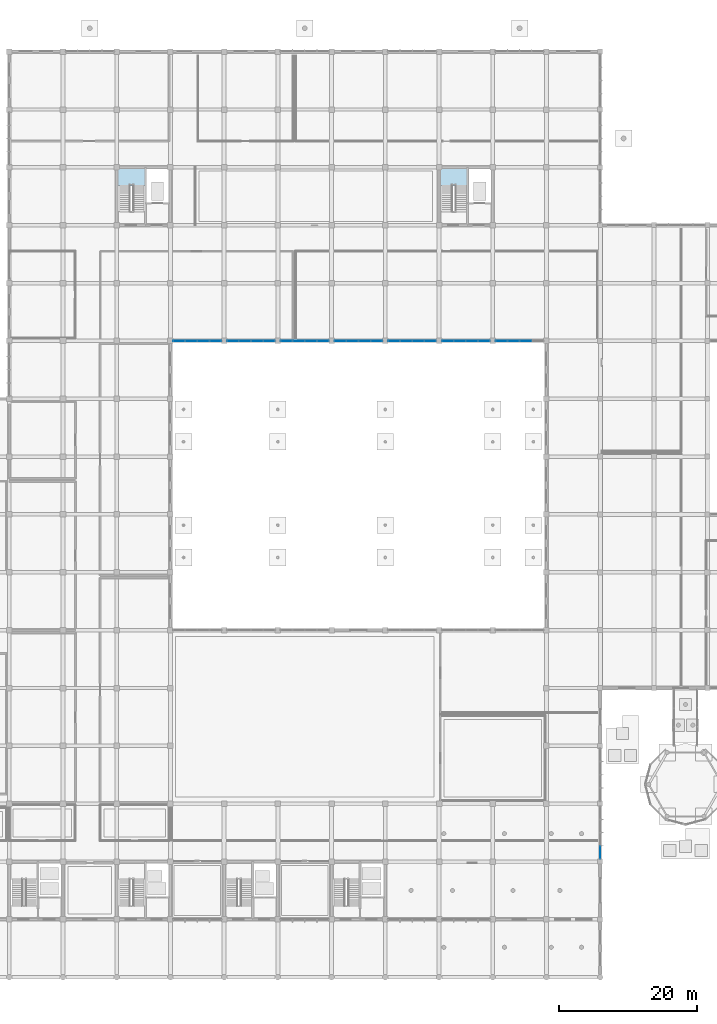
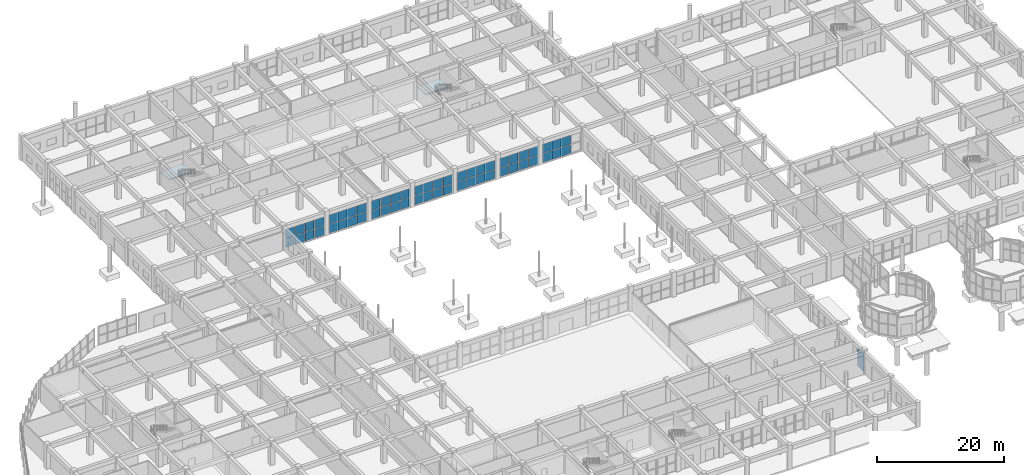
# One storey, part 109 of 139: 56 plates, 2 slabs, 10 elements without a shape of their own.
"""IFC4 building model written with IfcOpenShell, lengths in metres."""

from ifc_helpers import new_model, si_unit, direction, frame, origin, origin_2d, place, context, subcontext, project, spatial, polyline, rectangle, outline, extrude, material, layer, layer_set, type_object, element, aggregate, save


model = new_model("IFC4")

# Units and contexts
model_context = context("Model", 3, precision=1e-05, world=origin(), true_north=direction((0.0, 1.0)))
body_context = subcontext(model_context, "Body", "Model", "MODEL_VIEW")
ifc_project = project(units=[si_unit("LENGTHUNIT", "METRE"), si_unit("AREAUNIT", "SQUARE_METRE"), si_unit("VOLUMEUNIT", "CUBIC_METRE"), si_unit("PLANEANGLEUNIT", "RADIAN"), si_unit("MASSUNIT", "GRAM", prefix="KILO")], contexts=[model_context])

# Site, building, storey
site_placement = place(None, origin())
site = spatial("IfcSite", under=ifc_project, at=site_placement, CompositionType="ELEMENT")
building_placement = place(site_placement, origin())
building = spatial("IfcBuilding", under=site, at=building_placement, Name="Zizhar Promenade General Hospital", CompositionType="ELEMENT")
storey_placement = place(building_placement, origin())
storey = spatial("IfcBuildingStorey", under=building, at=storey_placement, Name="L00", CompositionType="ELEMENT", Elevation=0.0)

# Curtain wall, plates
ifc_material_1 = material(Name="Anodised aluminium 6063-T6 and low-E glass", Category="aluminium")
ifc_layer_1 = layer(ifc_material_1, 0.159912109375)
ifc_layer_set_1 = layer_set([ifc_layer_1], Name="Anodised aluminium 6063-T6 and low-E glass")
curtain_wall_type_1 = type_object("IfcCurtainWallType", Name="CW-HALL-S", PredefinedType="NOTDEFINED", material=ifc_layer_set_1)
curtain_wall_1_placement = place(storey_placement, origin())
curtain_wall_1 = element("IfcCurtainWall", 1, at=curtain_wall_1_placement, inside=storey, type_object=curtain_wall_type_1, Name="Forecourt Arrival Glazed Curtain Wall L00-2", PredefinedType="NOTDEFINED")
ifc_material_2 = material(Name="Low-E solar-control glass", Category="glass")
ifc_layer_2 = layer(ifc_material_2, 0.031982421875)
ifc_layer_set_2 = layer_set([ifc_layer_2], Name="Low-E solar-control glass")
plate_type = type_object("IfcPlateType", Name="CWP-GLZ-32", PredefinedType="CURTAIN_PANEL", material=ifc_layer_set_2)
plate_1_placement = place(storey_placement, frame((132.60009765625, 18.139892578125, 0.06005859375), z_axis=(0.0, 0.0, 1.0), x_axis=(0.0, -1.0, 0.0)))
plate_1 = element("IfcPlate", 2, at=plate_1_placement, type_object=plate_type, Name="CW-01 panel 4.1", PredefinedType="CURTAIN_PANEL", context=body_context, shape_type="SweptSolid", body=[
    extrude(rectangle(XDim=1.800048828125, YDim=0.031982421875, at=origin_2d()), origin(), (0.0, 0.0, 1.0), 1.72509765625),
])
plate_2_placement = place(storey_placement, frame((132.60009765625, 18.139892578125, 1.844970703125), z_axis=(0.0, 0.0, 1.0), x_axis=(0.0, -1.0, 0.0)))
plate_2 = element("IfcPlate", 3, at=plate_2_placement, type_object=plate_type, Name="CW-01 panel 4.2", PredefinedType="CURTAIN_PANEL", context=body_context, shape_type="SweptSolid", body=[
    extrude(rectangle(XDim=1.800048828125, YDim=0.031982421875, at=origin_2d()), origin(), (0.0, 0.0, 1.0), 1.72509765625),
])
aggregate(curtain_wall_1, [plate_1, plate_2])

ifc_material_3 = material(Name="Anodised aluminium 6063-T6 and low-E glass", Category="aluminium")
ifc_layer_3 = layer(ifc_material_3, 0.159912109375)
ifc_layer_set_3 = layer_set([ifc_layer_3], Name="Anodised aluminium 6063-T6 and low-E glass")
curtain_wall_type_2 = type_object("IfcCurtainWallType", Name="CW-DT-MOD1", PredefinedType="NOTDEFINED", material=ifc_layer_set_3)
curtain_wall_2_placement = place(storey_placement, origin())
curtain_wall_2 = element("IfcCurtainWall", 4, at=curtain_wall_2_placement, inside=storey, type_object=curtain_wall_type_2, Name="Garden Court North Surgical Glazing L00-9", PredefinedType="NOTDEFINED")
plate_3_placement = place(storey_placement, frame((76.735107421875, 92.39990234375, 0.06005859375), z_axis=(0.0, 0.0, 1.0), x_axis=(-1.0, 0.0, 0.0)))
plate_3 = element("IfcPlate", 5, at=plate_3_placement, type_object=plate_type, Name="CW-07 panel 1.1", PredefinedType="CURTAIN_PANEL", context=body_context, shape_type="SweptSolid", body=[
    extrude(rectangle(XDim=1.64990234375, YDim=0.031982421875, at=origin_2d()), origin(), (0.0, 0.0, 1.0), 1.72509765625),
])
plate_4_placement = place(storey_placement, frame((76.735107421875, 92.39990234375, 1.844970703125), z_axis=(0.0, 0.0, 1.0), x_axis=(-1.0, 0.0, 0.0)))
plate_4 = element("IfcPlate", 6, at=plate_4_placement, type_object=plate_type, Name="CW-07 panel 1.2", PredefinedType="CURTAIN_PANEL", context=body_context, shape_type="SweptSolid", body=[
    extrude(rectangle(XDim=1.64990234375, YDim=0.031982421875, at=origin_2d()), origin(), (0.0, 0.0, 1.0), 1.72509765625),
])
plate_5_placement = place(storey_placement, frame((74.985107421875, 92.39990234375, 0.06005859375), z_axis=(0.0, 0.0, 1.0), x_axis=(-1.0, 0.0, 0.0)))
plate_5 = element("IfcPlate", 7, at=plate_5_placement, type_object=plate_type, Name="CW-07 panel 2.1", PredefinedType="CURTAIN_PANEL", context=body_context, shape_type="SweptSolid", body=[
    extrude(rectangle(XDim=1.68994140625, YDim=0.031982421875, at=origin_2d()), origin(), (0.0, 0.0, 1.0), 1.72509765625),
])
plate_6_placement = place(storey_placement, frame((74.985107421875, 92.39990234375, 1.844970703125), z_axis=(0.0, 0.0, 1.0), x_axis=(-1.0, 0.0, 0.0)))
plate_6 = element("IfcPlate", 8, at=plate_6_placement, type_object=plate_type, Name="CW-07 panel 2.2", PredefinedType="CURTAIN_PANEL", context=body_context, shape_type="SweptSolid", body=[
    extrude(rectangle(XDim=1.68994140625, YDim=0.031982421875, at=origin_2d()), origin(), (0.0, 0.0, 1.0), 1.72509765625),
])
plate_7_placement = place(storey_placement, frame((73.215087890625, 92.39990234375, 0.06005859375), z_axis=(0.0, 0.0, 1.0), x_axis=(-1.0, 0.0, 0.0)))
plate_7 = element("IfcPlate", 9, at=plate_7_placement, type_object=plate_type, Name="CW-07 panel 3.1", PredefinedType="CURTAIN_PANEL", context=body_context, shape_type="SweptSolid", body=[
    extrude(rectangle(XDim=1.68994140625, YDim=0.031982421875, at=origin_2d()), origin(), (0.0, 0.0, 1.0), 1.72509765625),
])
plate_8_placement = place(storey_placement, frame((73.215087890625, 92.39990234375, 1.844970703125), z_axis=(0.0, 0.0, 1.0), x_axis=(-1.0, 0.0, 0.0)))
plate_8 = element("IfcPlate", 10, at=plate_8_placement, type_object=plate_type, Name="CW-07 panel 3.2", PredefinedType="CURTAIN_PANEL", context=body_context, shape_type="SweptSolid", body=[
    extrude(rectangle(XDim=1.68994140625, YDim=0.031982421875, at=origin_2d()), origin(), (0.0, 0.0, 1.0), 1.72509765625),
])
plate_9_placement = place(storey_placement, frame((71.465087890625, 92.39990234375, 0.06005859375), z_axis=(0.0, 0.0, 1.0), x_axis=(-1.0, 0.0, 0.0)))
plate_9 = element("IfcPlate", 11, at=plate_9_placement, type_object=plate_type, Name="CW-07 panel 4.1", PredefinedType="CURTAIN_PANEL", context=body_context, shape_type="SweptSolid", body=[
    extrude(rectangle(XDim=1.64990234375, YDim=0.031982421875, at=origin_2d()), origin(), (0.0, 0.0, 1.0), 1.72509765625),
])
plate_10_placement = place(storey_placement, frame((71.465087890625, 92.39990234375, 1.844970703125), z_axis=(0.0, 0.0, 1.0), x_axis=(-1.0, 0.0, 0.0)))
plate_10 = element("IfcPlate", 12, at=plate_10_placement, type_object=plate_type, Name="CW-07 panel 4.2", PredefinedType="CURTAIN_PANEL", context=body_context, shape_type="SweptSolid", body=[
    extrude(rectangle(XDim=1.64990234375, YDim=0.031982421875, at=origin_2d()), origin(), (0.0, 0.0, 1.0), 1.72509765625),
])
aggregate(curtain_wall_2, [plate_3, plate_4, plate_5, plate_6, plate_7, plate_8, plate_9, plate_10])

curtain_wall_3_placement = place(storey_placement, origin())
curtain_wall_3 = element("IfcCurtainWall", 13, at=curtain_wall_3_placement, inside=storey, type_object=curtain_wall_type_2, Name="Garden Court North Surgical Glazing L00-10", PredefinedType="NOTDEFINED")
plate_11_placement = place(storey_placement, frame((84.534912109375, 92.39990234375, 0.06005859375), z_axis=(0.0, 0.0, 1.0), x_axis=(-1.0, 0.0, 0.0)))
plate_11 = element("IfcPlate", 14, at=plate_11_placement, type_object=plate_type, Name="CW-07 panel 1.1", PredefinedType="CURTAIN_PANEL", context=body_context, shape_type="SweptSolid", body=[
    extrude(rectangle(XDim=1.64990234375, YDim=0.031982421875, at=origin_2d()), origin(), (0.0, 0.0, 1.0), 1.72509765625),
])
plate_12_placement = place(storey_placement, frame((84.534912109375, 92.39990234375, 1.844970703125), z_axis=(0.0, 0.0, 1.0), x_axis=(-1.0, 0.0, 0.0)))
plate_12 = element("IfcPlate", 15, at=plate_12_placement, type_object=plate_type, Name="CW-07 panel 1.2", PredefinedType="CURTAIN_PANEL", context=body_context, shape_type="SweptSolid", body=[
    extrude(rectangle(XDim=1.64990234375, YDim=0.031982421875, at=origin_2d()), origin(), (0.0, 0.0, 1.0), 1.72509765625),
])
plate_13_placement = place(storey_placement, frame((82.784912109375, 92.39990234375, 0.06005859375), z_axis=(0.0, 0.0, 1.0), x_axis=(-1.0, 0.0, 0.0)))
plate_13 = element("IfcPlate", 16, at=plate_13_placement, type_object=plate_type, Name="CW-07 panel 2.1", PredefinedType="CURTAIN_PANEL", context=body_context, shape_type="SweptSolid", body=[
    extrude(rectangle(XDim=1.68994140625, YDim=0.031982421875, at=origin_2d()), origin(), (0.0, 0.0, 1.0), 1.72509765625),
])
plate_14_placement = place(storey_placement, frame((82.784912109375, 92.39990234375, 1.844970703125), z_axis=(0.0, 0.0, 1.0), x_axis=(-1.0, 0.0, 0.0)))
plate_14 = element("IfcPlate", 17, at=plate_14_placement, type_object=plate_type, Name="CW-07 panel 2.2", PredefinedType="CURTAIN_PANEL", context=body_context, shape_type="SweptSolid", body=[
    extrude(rectangle(XDim=1.68994140625, YDim=0.031982421875, at=origin_2d()), origin(), (0.0, 0.0, 1.0), 1.72509765625),
])
plate_15_placement = place(storey_placement, frame((81.014892578125, 92.39990234375, 0.06005859375), z_axis=(0.0, 0.0, 1.0), x_axis=(-1.0, 0.0, 0.0)))
plate_15 = element("IfcPlate", 18, at=plate_15_placement, type_object=plate_type, Name="CW-07 panel 3.1", PredefinedType="CURTAIN_PANEL", context=body_context, shape_type="SweptSolid", body=[
    extrude(rectangle(XDim=1.68994140625, YDim=0.031982421875, at=origin_2d()), origin(), (0.0, 0.0, 1.0), 1.72509765625),
])
plate_16_placement = place(storey_placement, frame((81.014892578125, 92.39990234375, 1.844970703125), z_axis=(0.0, 0.0, 1.0), x_axis=(-1.0, 0.0, 0.0)))
plate_16 = element("IfcPlate", 19, at=plate_16_placement, type_object=plate_type, Name="CW-07 panel 3.2", PredefinedType="CURTAIN_PANEL", context=body_context, shape_type="SweptSolid", body=[
    extrude(rectangle(XDim=1.68994140625, YDim=0.031982421875, at=origin_2d()), origin(), (0.0, 0.0, 1.0), 1.72509765625),
])
plate_17_placement = place(storey_placement, frame((79.264892578125, 92.39990234375, 0.06005859375), z_axis=(0.0, 0.0, 1.0), x_axis=(-1.0, 0.0, 0.0)))
plate_17 = element("IfcPlate", 20, at=plate_17_placement, type_object=plate_type, Name="CW-07 panel 4.1", PredefinedType="CURTAIN_PANEL", context=body_context, shape_type="SweptSolid", body=[
    extrude(rectangle(XDim=1.64990234375, YDim=0.031982421875, at=origin_2d()), origin(), (0.0, 0.0, 1.0), 1.72509765625),
])
plate_18_placement = place(storey_placement, frame((79.264892578125, 92.39990234375, 1.844970703125), z_axis=(0.0, 0.0, 1.0), x_axis=(-1.0, 0.0, 0.0)))
plate_18 = element("IfcPlate", 21, at=plate_18_placement, type_object=plate_type, Name="CW-07 panel 4.2", PredefinedType="CURTAIN_PANEL", context=body_context, shape_type="SweptSolid", body=[
    extrude(rectangle(XDim=1.64990234375, YDim=0.031982421875, at=origin_2d()), origin(), (0.0, 0.0, 1.0), 1.72509765625),
])
aggregate(curtain_wall_3, [plate_11, plate_12, plate_13, plate_14, plate_15, plate_16, plate_17, plate_18])

curtain_wall_4_placement = place(storey_placement, origin())
curtain_wall_4 = element("IfcCurtainWall", 22, at=curtain_wall_4_placement, inside=storey, type_object=curtain_wall_type_2, Name="Garden Court North Surgical Glazing L00-11", PredefinedType="NOTDEFINED")
plate_19_placement = place(storey_placement, frame((92.3349609375, 92.39990234375, 0.06005859375), z_axis=(0.0, 0.0, 1.0), x_axis=(-1.0, 0.0, 0.0)))
plate_19 = element("IfcPlate", 23, at=plate_19_placement, type_object=plate_type, Name="CW-07 panel 1.1", PredefinedType="CURTAIN_PANEL", context=body_context, shape_type="SweptSolid", body=[
    extrude(rectangle(XDim=1.64990234375, YDim=0.031982421875, at=origin_2d()), origin(), (0.0, 0.0, 1.0), 1.72509765625),
])
plate_20_placement = place(storey_placement, frame((92.3349609375, 92.39990234375, 1.844970703125), z_axis=(0.0, 0.0, 1.0), x_axis=(-1.0, 0.0, 0.0)))
plate_20 = element("IfcPlate", 24, at=plate_20_placement, type_object=plate_type, Name="CW-07 panel 1.2", PredefinedType="CURTAIN_PANEL", context=body_context, shape_type="SweptSolid", body=[
    extrude(rectangle(XDim=1.64990234375, YDim=0.031982421875, at=origin_2d()), origin(), (0.0, 0.0, 1.0), 1.72509765625),
])
plate_21_placement = place(storey_placement, frame((90.5849609375, 92.39990234375, 0.06005859375), z_axis=(0.0, 0.0, 1.0), x_axis=(-1.0, 0.0, 0.0)))
plate_21 = element("IfcPlate", 25, at=plate_21_placement, type_object=plate_type, Name="CW-07 panel 2.1", PredefinedType="CURTAIN_PANEL", context=body_context, shape_type="SweptSolid", body=[
    extrude(rectangle(XDim=1.68994140625, YDim=0.031982421875, at=origin_2d()), origin(), (0.0, 0.0, 1.0), 1.72509765625),
])
plate_22_placement = place(storey_placement, frame((90.5849609375, 92.39990234375, 1.844970703125), z_axis=(0.0, 0.0, 1.0), x_axis=(-1.0, 0.0, 0.0)))
plate_22 = element("IfcPlate", 26, at=plate_22_placement, type_object=plate_type, Name="CW-07 panel 2.2", PredefinedType="CURTAIN_PANEL", context=body_context, shape_type="SweptSolid", body=[
    extrude(rectangle(XDim=1.68994140625, YDim=0.031982421875, at=origin_2d()), origin(), (0.0, 0.0, 1.0), 1.72509765625),
])
plate_23_placement = place(storey_placement, frame((88.81494140625, 92.39990234375, 0.06005859375), z_axis=(0.0, 0.0, 1.0), x_axis=(-1.0, 0.0, 0.0)))
plate_23 = element("IfcPlate", 27, at=plate_23_placement, type_object=plate_type, Name="CW-07 panel 3.1", PredefinedType="CURTAIN_PANEL", context=body_context, shape_type="SweptSolid", body=[
    extrude(rectangle(XDim=1.68994140625, YDim=0.031982421875, at=origin_2d()), origin(), (0.0, 0.0, 1.0), 1.72509765625),
])
plate_24_placement = place(storey_placement, frame((88.81494140625, 92.39990234375, 1.844970703125), z_axis=(0.0, 0.0, 1.0), x_axis=(-1.0, 0.0, 0.0)))
plate_24 = element("IfcPlate", 28, at=plate_24_placement, type_object=plate_type, Name="CW-07 panel 3.2", PredefinedType="CURTAIN_PANEL", context=body_context, shape_type="SweptSolid", body=[
    extrude(rectangle(XDim=1.68994140625, YDim=0.031982421875, at=origin_2d()), origin(), (0.0, 0.0, 1.0), 1.72509765625),
])
plate_25_placement = place(storey_placement, frame((87.06494140625, 92.39990234375, 0.06005859375), z_axis=(0.0, 0.0, 1.0), x_axis=(-1.0, 0.0, 0.0)))
plate_25 = element("IfcPlate", 29, at=plate_25_placement, type_object=plate_type, Name="CW-07 panel 4.1", PredefinedType="CURTAIN_PANEL", context=body_context, shape_type="SweptSolid", body=[
    extrude(rectangle(XDim=1.64990234375, YDim=0.031982421875, at=origin_2d()), origin(), (0.0, 0.0, 1.0), 1.72509765625),
])
plate_26_placement = place(storey_placement, frame((87.06494140625, 92.39990234375, 1.844970703125), z_axis=(0.0, 0.0, 1.0), x_axis=(-1.0, 0.0, 0.0)))
plate_26 = element("IfcPlate", 30, at=plate_26_placement, type_object=plate_type, Name="CW-07 panel 4.2", PredefinedType="CURTAIN_PANEL", context=body_context, shape_type="SweptSolid", body=[
    extrude(rectangle(XDim=1.64990234375, YDim=0.031982421875, at=origin_2d()), origin(), (0.0, 0.0, 1.0), 1.72509765625),
])
aggregate(curtain_wall_4, [plate_19, plate_20, plate_21, plate_22, plate_23, plate_24, plate_25, plate_26])

curtain_wall_5_placement = place(storey_placement, origin())
curtain_wall_5 = element("IfcCurtainWall", 31, at=curtain_wall_5_placement, inside=storey, type_object=curtain_wall_type_2, Name="Garden Court North Surgical Glazing L00-12", PredefinedType="NOTDEFINED")
plate_27_placement = place(storey_placement, frame((100.135009765625, 92.39990234375, 0.06005859375), z_axis=(0.0, 0.0, 1.0), x_axis=(-1.0, 0.0, 0.0)))
plate_27 = element("IfcPlate", 32, at=plate_27_placement, type_object=plate_type, Name="CW-07 panel 1.1", PredefinedType="CURTAIN_PANEL", context=body_context, shape_type="SweptSolid", body=[
    extrude(rectangle(XDim=1.64990234375, YDim=0.031982421875, at=origin_2d()), origin(), (0.0, 0.0, 1.0), 1.72509765625),
])
plate_28_placement = place(storey_placement, frame((100.135009765625, 92.39990234375, 1.844970703125), z_axis=(0.0, 0.0, 1.0), x_axis=(-1.0, 0.0, 0.0)))
plate_28 = element("IfcPlate", 33, at=plate_28_placement, type_object=plate_type, Name="CW-07 panel 1.2", PredefinedType="CURTAIN_PANEL", context=body_context, shape_type="SweptSolid", body=[
    extrude(rectangle(XDim=1.64990234375, YDim=0.031982421875, at=origin_2d()), origin(), (0.0, 0.0, 1.0), 1.72509765625),
])
plate_29_placement = place(storey_placement, frame((98.385009765625, 92.39990234375, 0.06005859375), z_axis=(0.0, 0.0, 1.0), x_axis=(-1.0, 0.0, 0.0)))
plate_29 = element("IfcPlate", 34, at=plate_29_placement, type_object=plate_type, Name="CW-07 panel 2.1", PredefinedType="CURTAIN_PANEL", context=body_context, shape_type="SweptSolid", body=[
    extrude(rectangle(XDim=1.68994140625, YDim=0.031982421875, at=origin_2d()), origin(), (0.0, 0.0, 1.0), 1.72509765625),
])
plate_30_placement = place(storey_placement, frame((98.385009765625, 92.39990234375, 1.844970703125), z_axis=(0.0, 0.0, 1.0), x_axis=(-1.0, 0.0, 0.0)))
plate_30 = element("IfcPlate", 35, at=plate_30_placement, type_object=plate_type, Name="CW-07 panel 2.2", PredefinedType="CURTAIN_PANEL", context=body_context, shape_type="SweptSolid", body=[
    extrude(rectangle(XDim=1.68994140625, YDim=0.031982421875, at=origin_2d()), origin(), (0.0, 0.0, 1.0), 1.72509765625),
])
plate_31_placement = place(storey_placement, frame((96.614990234375, 92.39990234375, 0.06005859375), z_axis=(0.0, 0.0, 1.0), x_axis=(-1.0, 0.0, 0.0)))
plate_31 = element("IfcPlate", 36, at=plate_31_placement, type_object=plate_type, Name="CW-07 panel 3.1", PredefinedType="CURTAIN_PANEL", context=body_context, shape_type="SweptSolid", body=[
    extrude(rectangle(XDim=1.68994140625, YDim=0.031982421875, at=origin_2d()), origin(), (0.0, 0.0, 1.0), 1.72509765625),
])
plate_32_placement = place(storey_placement, frame((96.614990234375, 92.39990234375, 1.844970703125), z_axis=(0.0, 0.0, 1.0), x_axis=(-1.0, 0.0, 0.0)))
plate_32 = element("IfcPlate", 37, at=plate_32_placement, type_object=plate_type, Name="CW-07 panel 3.2", PredefinedType="CURTAIN_PANEL", context=body_context, shape_type="SweptSolid", body=[
    extrude(rectangle(XDim=1.68994140625, YDim=0.031982421875, at=origin_2d()), origin(), (0.0, 0.0, 1.0), 1.72509765625),
])
plate_33_placement = place(storey_placement, frame((94.864990234375, 92.39990234375, 0.06005859375), z_axis=(0.0, 0.0, 1.0), x_axis=(-1.0, 0.0, 0.0)))
plate_33 = element("IfcPlate", 38, at=plate_33_placement, type_object=plate_type, Name="CW-07 panel 4.1", PredefinedType="CURTAIN_PANEL", context=body_context, shape_type="SweptSolid", body=[
    extrude(rectangle(XDim=1.64990234375, YDim=0.031982421875, at=origin_2d()), origin(), (0.0, 0.0, 1.0), 1.72509765625),
])
plate_34_placement = place(storey_placement, frame((94.864990234375, 92.39990234375, 1.844970703125), z_axis=(0.0, 0.0, 1.0), x_axis=(-1.0, 0.0, 0.0)))
plate_34 = element("IfcPlate", 39, at=plate_34_placement, type_object=plate_type, Name="CW-07 panel 4.2", PredefinedType="CURTAIN_PANEL", context=body_context, shape_type="SweptSolid", body=[
    extrude(rectangle(XDim=1.64990234375, YDim=0.031982421875, at=origin_2d()), origin(), (0.0, 0.0, 1.0), 1.72509765625),
])
aggregate(curtain_wall_5, [plate_27, plate_28, plate_29, plate_30, plate_31, plate_32, plate_33, plate_34])

curtain_wall_6_placement = place(storey_placement, origin())
curtain_wall_6 = element("IfcCurtainWall", 40, at=curtain_wall_6_placement, inside=storey, type_object=curtain_wall_type_2, Name="Garden Court North Surgical Glazing L00-13", PredefinedType="NOTDEFINED")
plate_35_placement = place(storey_placement, frame((107.93505859375, 92.39990234375, 0.06005859375), z_axis=(0.0, 0.0, 1.0), x_axis=(-1.0, 0.0, 0.0)))
plate_35 = element("IfcPlate", 41, at=plate_35_placement, type_object=plate_type, Name="CW-07 panel 1.1", PredefinedType="CURTAIN_PANEL", context=body_context, shape_type="SweptSolid", body=[
    extrude(rectangle(XDim=1.64990234375, YDim=0.031982421875, at=origin_2d()), origin(), (0.0, 0.0, 1.0), 1.72509765625),
])
plate_36_placement = place(storey_placement, frame((107.93505859375, 92.39990234375, 1.844970703125), z_axis=(0.0, 0.0, 1.0), x_axis=(-1.0, 0.0, 0.0)))
plate_36 = element("IfcPlate", 42, at=plate_36_placement, type_object=plate_type, Name="CW-07 panel 1.2", PredefinedType="CURTAIN_PANEL", context=body_context, shape_type="SweptSolid", body=[
    extrude(rectangle(XDim=1.64990234375, YDim=0.031982421875, at=origin_2d()), origin(), (0.0, 0.0, 1.0), 1.72509765625),
])
plate_37_placement = place(storey_placement, frame((106.18505859375, 92.39990234375, 0.06005859375), z_axis=(0.0, 0.0, 1.0), x_axis=(-1.0, 0.0, 0.0)))
plate_37 = element("IfcPlate", 43, at=plate_37_placement, type_object=plate_type, Name="CW-07 panel 2.1", PredefinedType="CURTAIN_PANEL", context=body_context, shape_type="SweptSolid", body=[
    extrude(rectangle(XDim=1.68994140625, YDim=0.031982421875, at=origin_2d()), origin(), (0.0, 0.0, 1.0), 1.72509765625),
])
plate_38_placement = place(storey_placement, frame((106.18505859375, 92.39990234375, 1.844970703125), z_axis=(0.0, 0.0, 1.0), x_axis=(-1.0, 0.0, 0.0)))
plate_38 = element("IfcPlate", 44, at=plate_38_placement, type_object=plate_type, Name="CW-07 panel 2.2", PredefinedType="CURTAIN_PANEL", context=body_context, shape_type="SweptSolid", body=[
    extrude(rectangle(XDim=1.68994140625, YDim=0.031982421875, at=origin_2d()), origin(), (0.0, 0.0, 1.0), 1.72509765625),
])
plate_39_placement = place(storey_placement, frame((104.4150390625, 92.39990234375, 0.06005859375), z_axis=(0.0, 0.0, 1.0), x_axis=(-1.0, 0.0, 0.0)))
plate_39 = element("IfcPlate", 45, at=plate_39_placement, type_object=plate_type, Name="CW-07 panel 3.1", PredefinedType="CURTAIN_PANEL", context=body_context, shape_type="SweptSolid", body=[
    extrude(rectangle(XDim=1.68994140625, YDim=0.031982421875, at=origin_2d()), origin(), (0.0, 0.0, 1.0), 1.72509765625),
])
plate_40_placement = place(storey_placement, frame((104.4150390625, 92.39990234375, 1.844970703125), z_axis=(0.0, 0.0, 1.0), x_axis=(-1.0, 0.0, 0.0)))
plate_40 = element("IfcPlate", 46, at=plate_40_placement, type_object=plate_type, Name="CW-07 panel 3.2", PredefinedType="CURTAIN_PANEL", context=body_context, shape_type="SweptSolid", body=[
    extrude(rectangle(XDim=1.68994140625, YDim=0.031982421875, at=origin_2d()), origin(), (0.0, 0.0, 1.0), 1.72509765625),
])
plate_41_placement = place(storey_placement, frame((102.6650390625, 92.39990234375, 0.06005859375), z_axis=(0.0, 0.0, 1.0), x_axis=(-1.0, 0.0, 0.0)))
plate_41 = element("IfcPlate", 47, at=plate_41_placement, type_object=plate_type, Name="CW-07 panel 4.1", PredefinedType="CURTAIN_PANEL", context=body_context, shape_type="SweptSolid", body=[
    extrude(rectangle(XDim=1.64990234375, YDim=0.031982421875, at=origin_2d()), origin(), (0.0, 0.0, 1.0), 1.72509765625),
])
plate_42_placement = place(storey_placement, frame((102.6650390625, 92.39990234375, 1.844970703125), z_axis=(0.0, 0.0, 1.0), x_axis=(-1.0, 0.0, 0.0)))
plate_42 = element("IfcPlate", 48, at=plate_42_placement, type_object=plate_type, Name="CW-07 panel 4.2", PredefinedType="CURTAIN_PANEL", context=body_context, shape_type="SweptSolid", body=[
    extrude(rectangle(XDim=1.64990234375, YDim=0.031982421875, at=origin_2d()), origin(), (0.0, 0.0, 1.0), 1.72509765625),
])
aggregate(curtain_wall_6, [plate_35, plate_36, plate_37, plate_38, plate_39, plate_40, plate_41, plate_42])

curtain_wall_7_placement = place(storey_placement, origin())
curtain_wall_7 = element("IfcCurtainWall", 49, at=curtain_wall_7_placement, inside=storey, type_object=curtain_wall_type_2, Name="Garden Court North Surgical Glazing L00-14", PredefinedType="NOTDEFINED")
plate_43_placement = place(storey_placement, frame((115.735107421875, 92.39990234375, 0.06005859375), z_axis=(0.0, 0.0, 1.0), x_axis=(-1.0, 0.0, 0.0)))
plate_43 = element("IfcPlate", 50, at=plate_43_placement, type_object=plate_type, Name="CW-07 panel 1.1", PredefinedType="CURTAIN_PANEL", context=body_context, shape_type="SweptSolid", body=[
    extrude(rectangle(XDim=1.64990234375, YDim=0.031982421875, at=origin_2d()), origin(), (0.0, 0.0, 1.0), 1.72509765625),
])
plate_44_placement = place(storey_placement, frame((115.735107421875, 92.39990234375, 1.844970703125), z_axis=(0.0, 0.0, 1.0), x_axis=(-1.0, 0.0, 0.0)))
plate_44 = element("IfcPlate", 51, at=plate_44_placement, type_object=plate_type, Name="CW-07 panel 1.2", PredefinedType="CURTAIN_PANEL", context=body_context, shape_type="SweptSolid", body=[
    extrude(rectangle(XDim=1.64990234375, YDim=0.031982421875, at=origin_2d()), origin(), (0.0, 0.0, 1.0), 1.72509765625),
])
plate_45_placement = place(storey_placement, frame((113.985107421875, 92.39990234375, 0.06005859375), z_axis=(0.0, 0.0, 1.0), x_axis=(-1.0, 0.0, 0.0)))
plate_45 = element("IfcPlate", 52, at=plate_45_placement, type_object=plate_type, Name="CW-07 panel 2.1", PredefinedType="CURTAIN_PANEL", context=body_context, shape_type="SweptSolid", body=[
    extrude(rectangle(XDim=1.68994140625, YDim=0.031982421875, at=origin_2d()), origin(), (0.0, 0.0, 1.0), 1.72509765625),
])
plate_46_placement = place(storey_placement, frame((113.985107421875, 92.39990234375, 1.844970703125), z_axis=(0.0, 0.0, 1.0), x_axis=(-1.0, 0.0, 0.0)))
plate_46 = element("IfcPlate", 53, at=plate_46_placement, type_object=plate_type, Name="CW-07 panel 2.2", PredefinedType="CURTAIN_PANEL", context=body_context, shape_type="SweptSolid", body=[
    extrude(rectangle(XDim=1.68994140625, YDim=0.031982421875, at=origin_2d()), origin(), (0.0, 0.0, 1.0), 1.72509765625),
])
plate_47_placement = place(storey_placement, frame((112.215087890625, 92.39990234375, 0.06005859375), z_axis=(0.0, 0.0, 1.0), x_axis=(-1.0, 0.0, 0.0)))
plate_47 = element("IfcPlate", 54, at=plate_47_placement, type_object=plate_type, Name="CW-07 panel 3.1", PredefinedType="CURTAIN_PANEL", context=body_context, shape_type="SweptSolid", body=[
    extrude(rectangle(XDim=1.68994140625, YDim=0.031982421875, at=origin_2d()), origin(), (0.0, 0.0, 1.0), 1.72509765625),
])
plate_48_placement = place(storey_placement, frame((112.215087890625, 92.39990234375, 1.844970703125), z_axis=(0.0, 0.0, 1.0), x_axis=(-1.0, 0.0, 0.0)))
plate_48 = element("IfcPlate", 55, at=plate_48_placement, type_object=plate_type, Name="CW-07 panel 3.2", PredefinedType="CURTAIN_PANEL", context=body_context, shape_type="SweptSolid", body=[
    extrude(rectangle(XDim=1.68994140625, YDim=0.031982421875, at=origin_2d()), origin(), (0.0, 0.0, 1.0), 1.72509765625),
])
plate_49_placement = place(storey_placement, frame((110.465087890625, 92.39990234375, 0.06005859375), z_axis=(0.0, 0.0, 1.0), x_axis=(-1.0, 0.0, 0.0)))
plate_49 = element("IfcPlate", 56, at=plate_49_placement, type_object=plate_type, Name="CW-07 panel 4.1", PredefinedType="CURTAIN_PANEL", context=body_context, shape_type="SweptSolid", body=[
    extrude(rectangle(XDim=1.64990234375, YDim=0.031982421875, at=origin_2d()), origin(), (0.0, 0.0, 1.0), 1.72509765625),
])
plate_50_placement = place(storey_placement, frame((110.465087890625, 92.39990234375, 1.844970703125), z_axis=(0.0, 0.0, 1.0), x_axis=(-1.0, 0.0, 0.0)))
plate_50 = element("IfcPlate", 57, at=plate_50_placement, type_object=plate_type, Name="CW-07 panel 4.2", PredefinedType="CURTAIN_PANEL", context=body_context, shape_type="SweptSolid", body=[
    extrude(rectangle(XDim=1.64990234375, YDim=0.031982421875, at=origin_2d()), origin(), (0.0, 0.0, 1.0), 1.72509765625),
])
aggregate(curtain_wall_7, [plate_43, plate_44, plate_45, plate_46, plate_47, plate_48, plate_49, plate_50])

curtain_wall_8_placement = place(storey_placement, origin())
curtain_wall_8 = element("IfcCurtainWall", 58, at=curtain_wall_8_placement, inside=storey, type_object=curtain_wall_type_2, Name="Garden Court North Surgical Glazing L00-15", PredefinedType="NOTDEFINED")
plate_51_placement = place(storey_placement, frame((121.784912109375, 92.39990234375, 0.06005859375), z_axis=(0.0, 0.0, 1.0), x_axis=(-1.0, 0.0, 0.0)))
plate_51 = element("IfcPlate", 59, at=plate_51_placement, type_object=plate_type, Name="CW-07 panel 2.1", PredefinedType="CURTAIN_PANEL", context=body_context, shape_type="SweptSolid", body=[
    extrude(rectangle(XDim=1.68994140625, YDim=0.031982421875, at=origin_2d()), origin(), (0.0, 0.0, 1.0), 1.72509765625),
])
plate_52_placement = place(storey_placement, frame((121.784912109375, 92.39990234375, 1.844970703125), z_axis=(0.0, 0.0, 1.0), x_axis=(-1.0, 0.0, 0.0)))
plate_52 = element("IfcPlate", 60, at=plate_52_placement, type_object=plate_type, Name="CW-07 panel 2.2", PredefinedType="CURTAIN_PANEL", context=body_context, shape_type="SweptSolid", body=[
    extrude(rectangle(XDim=1.68994140625, YDim=0.031982421875, at=origin_2d()), origin(), (0.0, 0.0, 1.0), 1.72509765625),
])
plate_53_placement = place(storey_placement, frame((120.014892578125, 92.39990234375, 0.06005859375), z_axis=(0.0, 0.0, 1.0), x_axis=(-1.0, 0.0, 0.0)))
plate_53 = element("IfcPlate", 61, at=plate_53_placement, type_object=plate_type, Name="CW-07 panel 3.1", PredefinedType="CURTAIN_PANEL", context=body_context, shape_type="SweptSolid", body=[
    extrude(rectangle(XDim=1.68994140625, YDim=0.031982421875, at=origin_2d()), origin(), (0.0, 0.0, 1.0), 1.72509765625),
])
plate_54_placement = place(storey_placement, frame((120.014892578125, 92.39990234375, 1.844970703125), z_axis=(0.0, 0.0, 1.0), x_axis=(-1.0, 0.0, 0.0)))
plate_54 = element("IfcPlate", 62, at=plate_54_placement, type_object=plate_type, Name="CW-07 panel 3.2", PredefinedType="CURTAIN_PANEL", context=body_context, shape_type="SweptSolid", body=[
    extrude(rectangle(XDim=1.68994140625, YDim=0.031982421875, at=origin_2d()), origin(), (0.0, 0.0, 1.0), 1.72509765625),
])
plate_55_placement = place(storey_placement, frame((118.264892578125, 92.39990234375, 0.06005859375), z_axis=(0.0, 0.0, 1.0), x_axis=(-1.0, 0.0, 0.0)))
plate_55 = element("IfcPlate", 63, at=plate_55_placement, type_object=plate_type, Name="CW-07 panel 4.1", PredefinedType="CURTAIN_PANEL", context=body_context, shape_type="SweptSolid", body=[
    extrude(rectangle(XDim=1.64990234375, YDim=0.031982421875, at=origin_2d()), origin(), (0.0, 0.0, 1.0), 1.72509765625),
])
plate_56_placement = place(storey_placement, frame((118.264892578125, 92.39990234375, 1.844970703125), z_axis=(0.0, 0.0, 1.0), x_axis=(-1.0, 0.0, 0.0)))
plate_56 = element("IfcPlate", 64, at=plate_56_placement, type_object=plate_type, Name="CW-07 panel 4.2", PredefinedType="CURTAIN_PANEL", context=body_context, shape_type="SweptSolid", body=[
    extrude(rectangle(XDim=1.64990234375, YDim=0.031982421875, at=origin_2d()), origin(), (0.0, 0.0, 1.0), 1.72509765625),
])
aggregate(curtain_wall_8, [plate_51, plate_52, plate_53, plate_54, plate_55, plate_56])

# Stair, slab
ifc_material_4 = material(Name="Concrete C35/45", Category="concrete")
stair_type = type_object("IfcStairType", Name="STR-DOG-480", PredefinedType="HALF_TURN_STAIR", material=ifc_material_4)
stair_1_placement = place(storey_placement, origin())
stair_1 = element("IfcStair", 65, at=stair_1_placement, inside=storey, type_object=stair_type, Name="Exit Stair ST-06 (L00 to L01)", PredefinedType="HALF_TURN_STAIR")
ifc_material_5 = material(Name="Concrete C35/45", Category="concrete")
ifc_layer_4 = layer(ifc_material_5, 0.219970703125)
ifc_layer_set_4 = layer_set([ifc_layer_4], Name="Concrete C35/45")
slab_type = type_object("IfcSlabType", Name="SLB-LAND-480", PredefinedType="LANDING", material=ifc_layer_set_4)
slab_1_placement = place(storey_placement, frame((0.0, 0.0, 2.179931640625)))
slab_1 = element("IfcSlab", 66, at=slab_1_placement, type_object=slab_type, Name="ST-06A landing 1", PredefinedType="LANDING", context=body_context, shape_type="SweptSolid", body=[
    extrude(outline(polyline([(62.39990234375, 114.969970703125), (66.550048828125, 114.969970703125), (66.550048828125, 117.60009765625), (62.39990234375, 117.60009765625), (62.39990234375, 114.969970703125)])), origin(), (0.0, 0.0, 1.0), 0.219970703125),
])
aggregate(stair_1, [slab_1])

stair_2_placement = place(storey_placement, origin())
stair_2 = element("IfcStair", 67, at=stair_2_placement, inside=storey, type_object=stair_type, Name="Exit Stair ST-07 (L00 to L01)", PredefinedType="HALF_TURN_STAIR")
slab_2_placement = place(storey_placement, frame((0.0, 0.0, 2.179931640625)))
slab_2 = element("IfcSlab", 68, at=slab_2_placement, type_object=slab_type, Name="ST-07A landing 1", PredefinedType="LANDING", context=body_context, shape_type="SweptSolid", body=[
    extrude(outline(polyline([(109.199951171875, 114.969970703125), (113.35009765625, 114.969970703125), (113.35009765625, 117.60009765625), (109.199951171875, 117.60009765625), (109.199951171875, 114.969970703125)])), origin(), (0.0, 0.0, 1.0), 0.219970703125),
])
aggregate(stair_2, [slab_2])

save(model, "model.ifc")
